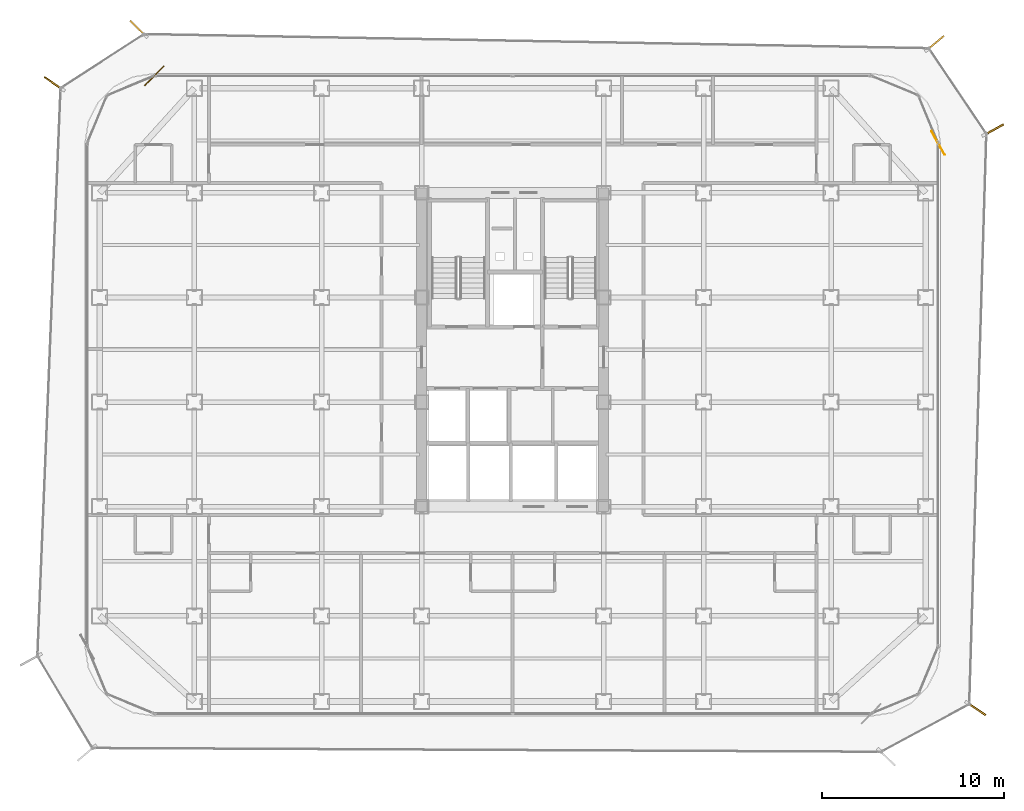
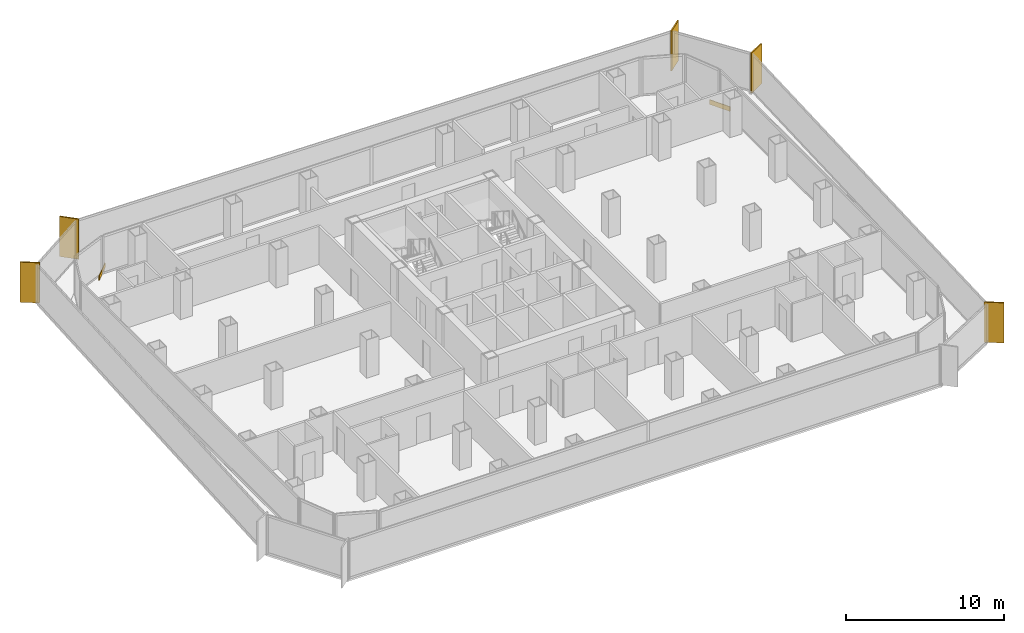
# One storey, part 21 of 21: 5 shading devices, 2 coverings.
"""IFC4 building model written with IfcOpenShell, lengths in metres."""

from ifc_helpers import new_model, si_unit, direction, frame, origin, origin_2d, place, context, subcontext, project, spatial, rectangle, extrude, source, transform, mapped, material, layer, layer_set, type_object, element, save


model = new_model("IFC4")

# Units and contexts
model_context = context("Model", 3, precision=1e-05, world=origin(), true_north=direction((0.0, 1.0)))
body_context = subcontext(model_context, "Body", "Model", "MODEL_VIEW")
ifc_project = project(units=[si_unit("LENGTHUNIT", "METRE"), si_unit("AREAUNIT", "SQUARE_METRE"), si_unit("VOLUMEUNIT", "CUBIC_METRE"), si_unit("PLANEANGLEUNIT", "RADIAN"), si_unit("MASSUNIT", "GRAM", prefix="KILO")], contexts=[model_context])

# Site, building, storey
site_placement = place(None, origin())
site = spatial("IfcSite", under=ifc_project, at=site_placement, CompositionType="ELEMENT")
building_placement = place(site_placement, origin())
building = spatial("IfcBuilding", under=site, at=building_placement, Name="Kolveth Station Tower", CompositionType="ELEMENT")
storey_placement = place(building_placement, frame((0.0, 0.0, 92.699951171875)))
storey = spatial("IfcBuildingStorey", under=building, at=storey_placement, Name="L24", CompositionType="ELEMENT", Elevation=92.699951171875)

# Shading devices
ifc_material_1 = material(Name="Black anodized aluminium 6063-T6", Category="aluminium")
shading_device_type = type_object("IfcShadingDeviceType", Name="FIN_VF1", PredefinedType="USERDEFINED", material=ifc_material_1)
shared_shape_1 = source(origin(), body_context, "Body", "SweptSolid", [
    extrude(rectangle(XDim=1.25, YDim=0.090087890625, at=origin_2d()), origin(), (0.0, 0.0, 1.0), 3.10009765625),
])
for number, where, z_axis, x_axis, name in (
    (1, (48.972900390625, 0.39208984375, 0.0), (0.0, 0.0, 1.0), (0.827864584251, -0.560928007986, 0.0), "L24 Dark-Aluminium Solar Fin 2"),
    (2, (49.93408203125, 32.217041015625, 0.0), (0.0, 0.0, 1.0), (0.875801708379, 0.482671075992, 0.0), "L24 Dark-Aluminium Solar Fin 3"),
    (3, (46.722900390625, 36.97998046875, 0.0), (0.0, 0.0, 1.0), (0.768618578918, 0.639707339446, 0.0), "L24 Dark-Aluminium Solar Fin 4"),
    (4, (2.9130859375, 37.781982421875, 0.0), (0.0, 0.0, 1.0), (-0.714960962638, 0.699164374023, 0.0), "L24 Dark-Aluminium Solar Fin 5"),
    (5, (-1.716064453125, 34.760009765625, 0.0), (0.0, 0.0, 1.0), (-0.827472780913, 0.561505829755, 0.0), "L24 Dark-Aluminium Solar Fin 6"),
):
    element("IfcShadingDevice", number, at=place(storey_placement, frame(where, z_axis=z_axis, x_axis=x_axis)), inside=storey, type_object=shading_device_type, Name=name, ObjectType="FIN", PredefinedType="USERDEFINED", context=body_context, shape_type="MappedRepresentation", body=[
        mapped(shared_shape_1, transform((0.0, 0.0, 0.0), x_axis=(1.0, 0.0, 0.0), y_axis=(0.0, 1.0, 0.0), z_axis=(0.0, 0.0, 1.0), scale=1.0)),
    ])

# Coverings
ifc_material_2 = material(Name="Charcoal anodized aluminium spandrel cladding", Category="aluminium")
ifc_layer = layer(ifc_material_2, 0.044921875)
ifc_layer_set = layer_set([ifc_layer], Name="Charcoal anodized aluminium spandrel cladding")
covering_type = type_object("IfcCoveringType", Name="Clad_CD1", PredefinedType="CLADDING", material=ifc_layer_set)
shared_shape_2 = source(origin(), body_context, "Body", "SweptSolid", [
    extrude(rectangle(XDim=1.5, YDim=0.044921875, at=origin_2d()), origin(), (0.0, 0.0, 1.0), 0.360107421875),
])
for number, where, z_axis, x_axis, name in (
    (6, (46.8798828125, 31.5, 0.0), (0.0, 0.0, 1.0), (-0.482671075992, 0.875801708379, 0.0), "L24 Spandrel Edge Cladding 3"),
    (7, (3.800048828125, 35.179931640625, 0.0), (0.0, 0.0, 1.0), (-0.699164374023, -0.714960962638, 0.0), "L24 Spandrel Edge Cladding 5"),
):
    element("IfcCovering", number, at=place(storey_placement, frame(where, z_axis=z_axis, x_axis=x_axis)), inside=storey, type_object=covering_type, Name=name, PredefinedType="CLADDING", context=body_context, shape_type="MappedRepresentation", body=[
        mapped(shared_shape_2, transform((0.0, 0.0, 0.0), x_axis=(1.0, 0.0, 0.0), y_axis=(0.0, 1.0, 0.0), z_axis=(0.0, 0.0, 1.0), scale=1.0)),
    ])

save(model, "model.ifc")
